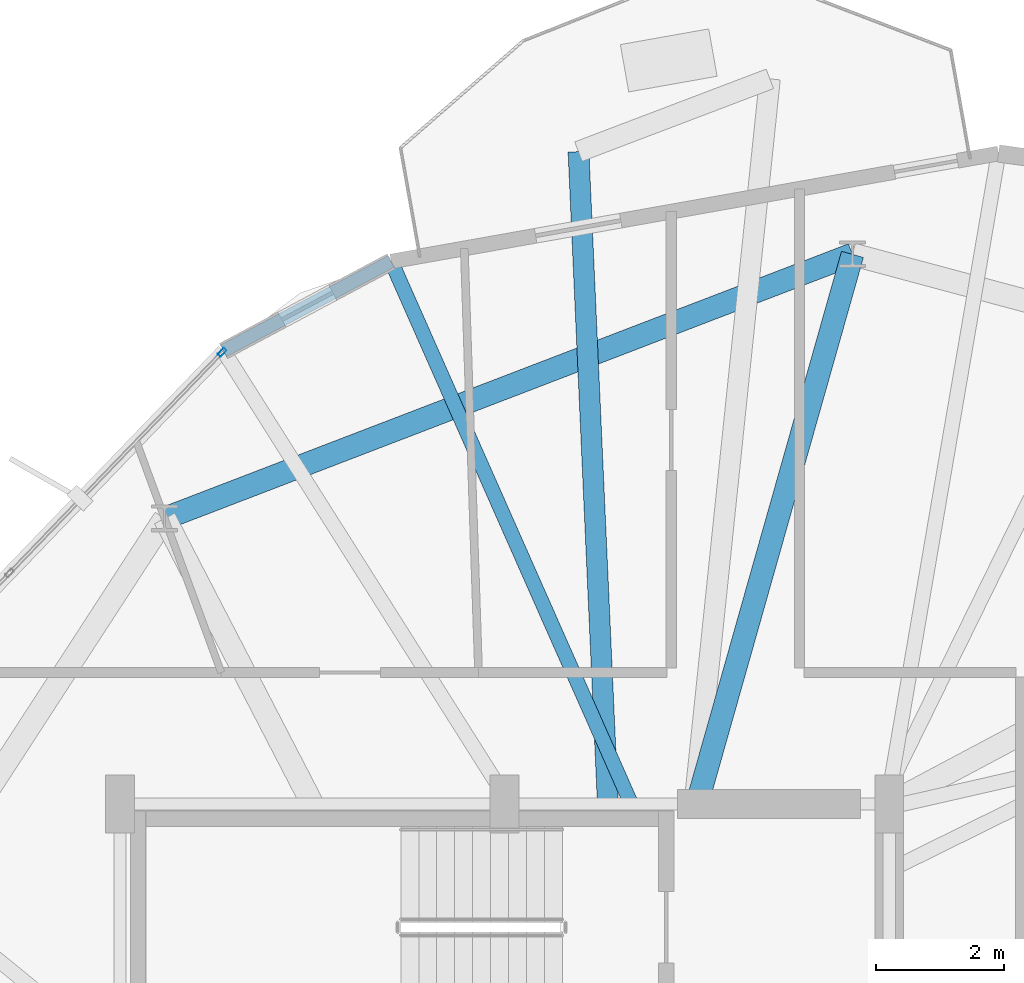
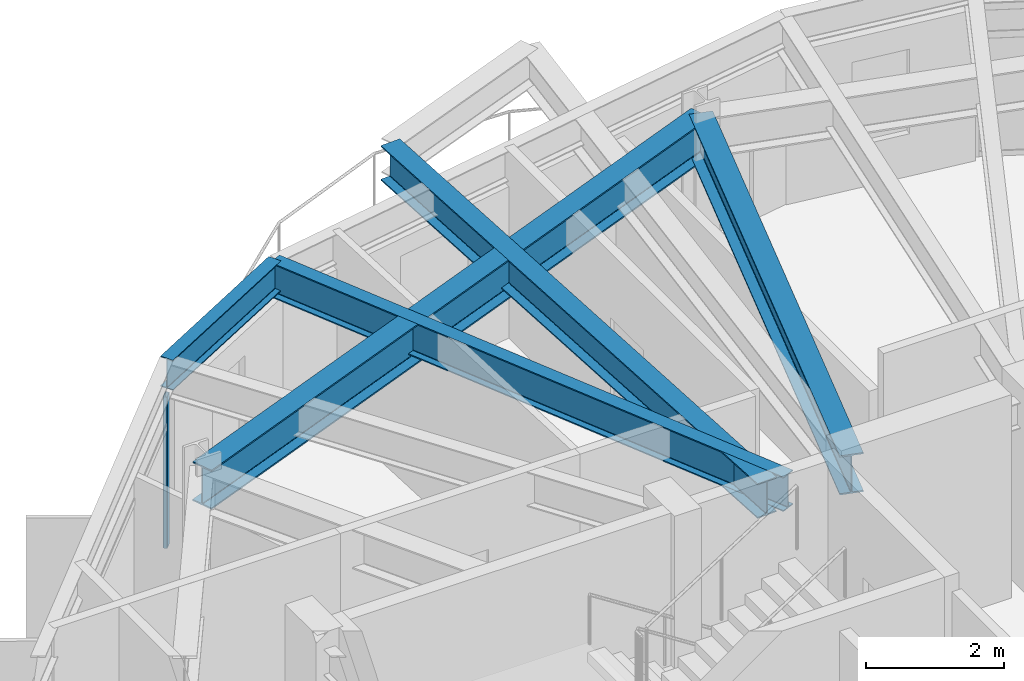
# One storey, part 17 of 28: 5 beams, 1 member, 1 element without a shape of its own.
"""IFC4 building model written with IfcOpenShell, lengths in metres."""

from ifc_helpers import new_model, si_unit, direction, frame, origin, origin_2d, place, context, subcontext, project, spatial, hollow_rectangle, i_section, extrude, material, layer, layer_set, material_profile, profile_set, type_object, element, aggregate, save


model = new_model("IFC4")

# Units and contexts
model_context = context("Model", 3, precision=1e-05, world=origin(), true_north=direction((0.0, 1.0)))
body_context = subcontext(model_context, "Body", "Model", "MODEL_VIEW")
ifc_project = project(units=[si_unit("LENGTHUNIT", "METRE"), si_unit("AREAUNIT", "SQUARE_METRE"), si_unit("VOLUMEUNIT", "CUBIC_METRE"), si_unit("PLANEANGLEUNIT", "RADIAN"), si_unit("MASSUNIT", "GRAM", prefix="KILO")], contexts=[model_context])

# Site, building, storey
site_placement = place(None, origin())
site = spatial("IfcSite", under=ifc_project, at=site_placement, CompositionType="ELEMENT")
building_placement = place(site_placement, origin())
building = spatial("IfcBuilding", under=site, at=building_placement, Name="Soratama Intermodal Tower", CompositionType="ELEMENT")
storey_placement = place(building_placement, frame((0.0, 0.0, 205.0)))
storey = spatial("IfcBuildingStorey", under=building, at=storey_placement, Name="L51", CompositionType="ELEMENT", Elevation=205.0)

# Beams
ifc_material_1 = material(Name="Structural steel ASTM A992 Grade 50", Category="steel")
ifc_material_profile_1 = material_profile(ifc_material_1, i_section(OverallWidth=0.324951171875, OverallDepth=0.615966796875, WebThickness=0.013916015625, FlangeThickness=0.021484375, FilletRadius=0.013916015625, at=origin_2d()), Name="W24X117")
ifc_profile_set_1 = profile_set([ifc_material_profile_1], Name="Structural steel ASTM A992 Grade 50")
beam_type_1 = type_object("IfcBeamType", Name="BM-CANT-W24X117", PredefinedType="BEAM", material=ifc_profile_set_1)
beam_1_placement = place(storey_placement, frame((40.2080078125, 35.0400390625, 2.991943359375), z_axis=(-0.044939500995, 0.998989710283, 0.0), x_axis=(-0.998989710283, -0.044939500995, 0.0)))
element("IfcBeam", 1, at=beam_1_placement, inside=storey, type_object=beam_type_1, Name="BM-L51-CANT-2-2", PredefinedType="BEAM", context=body_context, shape_type="SweptSolid", body=[
    extrude(i_section(OverallWidth=0.324951171875, OverallDepth=0.615966796875, WebThickness=0.013916015625, FlangeThickness=0.021484375, FilletRadius=0.013916015625, at=origin_2d()), origin(), (0.0, 0.0, 1.0), 10.148193359375),
])
ifc_material_2 = material(Name="Structural steel ASTM A992 Grade 50", Category="steel")
ifc_material_profile_2 = material_profile(ifc_material_2, i_section(OverallWidth=0.35498046875, OverallDepth=0.695068359375, WebThickness=0.015380859375, FlangeThickness=0.02490234375, FilletRadius=0.01611328125, at=origin_2d()), Name="W27X146")
ifc_profile_set_2 = profile_set([ifc_material_profile_2], Name="Structural steel ASTM A992 Grade 50")
beam_type_2 = type_object("IfcBeamType", Name="BM-RING-W27X146", PredefinedType="BEAM", material=ifc_profile_set_2)
beam_2_placement = place(storey_placement, frame((44.027099609375, 43.574951171875, 2.952392578125), z_axis=(-0.933575304305, -0.358381293026, 0.0), x_axis=(0.358381293026, -0.933575304305, 0.0)))
element("IfcBeam", 2, at=beam_2_placement, inside=storey, type_object=beam_type_2, Name="BM-L51-RING-03", PredefinedType="BEAM", context=body_context, shape_type="SweptSolid", body=[
    extrude(i_section(OverallWidth=0.35498046875, OverallDepth=0.695068359375, WebThickness=0.015380859375, FlangeThickness=0.02490234375, FilletRadius=0.01611328125, at=origin_2d()), origin(), (0.0, 0.0, 1.0), 11.495849609375),
])
beam_3_placement = place(storey_placement, frame((41.60009765625, 35.0, 2.952392578125), z_axis=(0.272335865412, 0.96220225338, 0.0), x_axis=(-0.96220225338, 0.272335865412, 0.0)))
element("IfcBeam", 3, at=beam_3_placement, inside=storey, type_object=beam_type_2, Name="BM-L51-RAD-03", PredefinedType="BEAM", context=body_context, shape_type="SweptSolid", body=[
    extrude(i_section(OverallWidth=0.35498046875, OverallDepth=0.695068359375, WebThickness=0.015380859375, FlangeThickness=0.02490234375, FilletRadius=0.01611328125, at=origin_2d()), origin(), (0.0, 0.0, 1.0), 8.911865234375),
])
ifc_material_3 = material(Name="Structural steel ASTM A992 Grade 50", Category="steel")
ifc_material_profile_3 = material_profile(ifc_material_3, i_section(OverallWidth=0.2099609375, OverallDepth=0.537109375, WebThickness=0.010986328125, FlangeThickness=0.017333984375, FilletRadius=0.012939453125, at=origin_2d()), Name="W21X68")
ifc_profile_set_3 = profile_set([ifc_material_profile_3], Name="Structural steel ASTM A992 Grade 50")
beam_type_3 = type_object("IfcBeamType", Name="BM-SPN-W21X68", PredefinedType="SPANDREL", material=ifc_profile_set_3)
beam_4_placement = place(storey_placement, frame((36.830078125, 43.465087890625, 3.031494140625), z_axis=(-0.88233015622, -0.470630954596, 0.0), x_axis=(0.470630954596, -0.88233015622, 0.0)))
element("IfcBeam", 4, at=beam_4_placement, inside=storey, type_object=beam_type_3, Name="BS-L51-CRN02", PredefinedType="SPANDREL", context=body_context, shape_type="SweptSolid", body=[
    extrude(i_section(OverallWidth=0.2099609375, OverallDepth=0.537109375, WebThickness=0.010986328125, FlangeThickness=0.017333984375, FilletRadius=0.012939453125, at=origin_2d()), origin(), (0.0, 0.0, 1.0), 2.96630859375),
])
ifc_material_4 = material(Name="Structural steel ASTM A992 Grade 50", Category="steel")
ifc_material_profile_4 = material_profile(ifc_material_4, i_section(OverallWidth=0.22900390625, OverallDepth=0.612060546875, WebThickness=0.011962890625, FlangeThickness=0.01953125, FilletRadius=0.012939453125, at=origin_2d()), Name="W24X84")
ifc_profile_set_4 = profile_set([ifc_material_profile_4], Name="Structural steel ASTM A992 Grade 50")
beam_type_4 = type_object("IfcBeamType", Name="BM-TIE-W24X84", PredefinedType="BEAM", material=ifc_profile_set_4)
beam_5_placement = place(storey_placement, frame((40.55908203125, 35.037109375, 2.993896484375), z_axis=(-0.404618922867, 0.914485389308, 0.0), x_axis=(-0.914485389308, -0.404618922867, 0.0)))
element("IfcBeam", 5, at=beam_5_placement, inside=storey, type_object=beam_type_4, Name="BM-L51-TIE1-02", PredefinedType="BEAM", context=body_context, shape_type="SweptSolid", body=[
    extrude(i_section(OverallWidth=0.22900390625, OverallDepth=0.612060546875, WebThickness=0.011962890625, FlangeThickness=0.01953125, FilletRadius=0.012939453125, at=origin_2d()), origin(), (0.0, 0.0, 1.0), 9.216064453125),
])

# Curtain wall, member
ifc_material_5 = material(Name="Double-glazed aluminium curtain wall", Category="aluminium")
ifc_layer = layer(ifc_material_5, 0.159912109375)
ifc_layer_set = layer_set([ifc_layer], Name="Double-glazed aluminium curtain wall")
curtain_wall_type = type_object("IfcCurtainWallType", Name="CW-SYS-5", PredefinedType="NOTDEFINED", material=ifc_layer_set)
curtain_wall_placement = place(storey_placement, origin())
curtain_wall = element("IfcCurtainWall", 6, at=curtain_wall_placement, inside=storey, type_object=curtain_wall_type, Name="L51 Faceted Curtain Wall F03", PredefinedType="NOTDEFINED")
ifc_material_6 = material(Name="Anodised aluminium AA 6063-T6", Category="aluminium")
ifc_material_profile_5 = material_profile(ifc_material_6, hollow_rectangle(XDim=0.06494140625, YDim=0.139892578125, WallThickness=0.0048828125, InnerFilletRadius=0.0048828125, OuterFilletRadius=0.010009765625, at=origin_2d()), Name="CWM140X65X5")
ifc_profile_set_5 = profile_set([ifc_material_profile_5], Name="Anodised aluminium AA 6063-T6")
member_type = type_object("IfcMemberType", Name="MT-CWM-5", PredefinedType="MULLION", material=ifc_profile_set_5)
member_placement = place(storey_placement, frame((34.19189453125, 42.046875, 0.0), z_axis=(0.0, 0.0, 1.0), x_axis=(0.720307138227, -0.693655264969, 0.0)))
member = element("IfcMember", 7, at=member_placement, type_object=member_type, Name="CW-5 mullion 1", PredefinedType="MULLION", context=body_context, shape_type="SweptSolid", body=[
    extrude(hollow_rectangle(XDim=0.06494140625, YDim=0.139892578125, WallThickness=0.0048828125, InnerFilletRadius=0.0048828125, OuterFilletRadius=0.010009765625, at=origin_2d()), origin(), (0.0, 0.0, 1.0), 2.678955078125),
])
aggregate(curtain_wall, [member])

save(model, "model.ifc")
